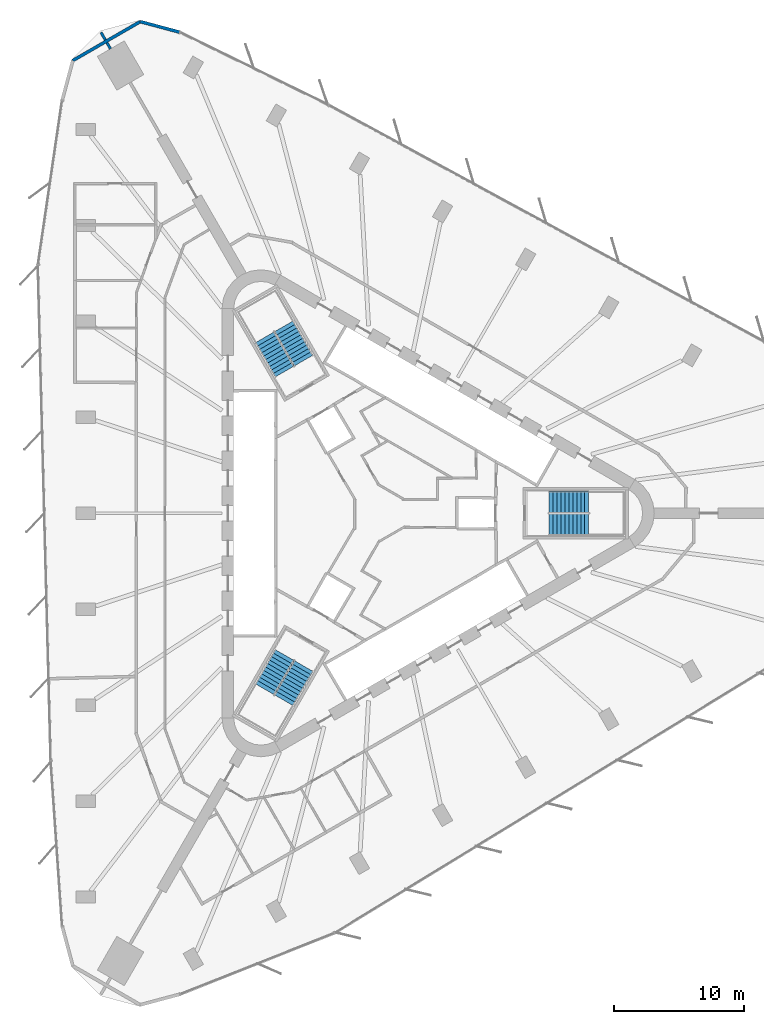
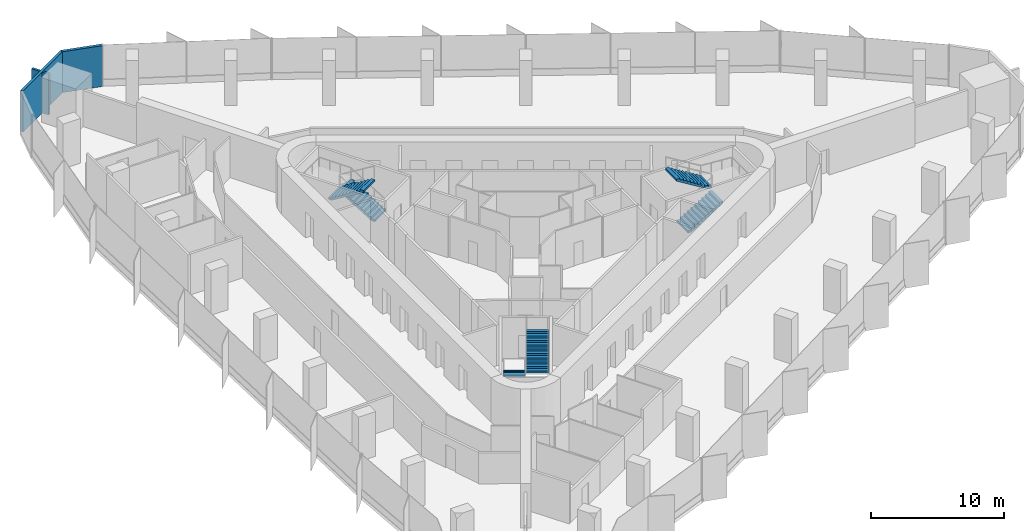
# One storey, part 13 of 14: 6 stair flights, 4 walls, 3 elements without a shape of their own.
"""IFC4 building model written with IfcOpenShell, lengths in metres."""

from ifc_helpers import new_model, si_unit, direction, frame, frame_2d, origin, place, context, subcontext, project, spatial, polyline, rectangle, outline, extrude, material, layer, layer_set, type_object, element, aggregate, save


model = new_model("IFC4")

# Units and contexts
model_context = context("Model", 3, precision=1e-05, world=origin(), true_north=direction((0.0, 1.0)))
body_context = subcontext(model_context, "Body", "Model", "MODEL_VIEW")
ifc_project = project(units=[si_unit("LENGTHUNIT", "METRE"), si_unit("AREAUNIT", "SQUARE_METRE"), si_unit("VOLUMEUNIT", "CUBIC_METRE"), si_unit("PLANEANGLEUNIT", "RADIAN"), si_unit("MASSUNIT", "GRAM", prefix="KILO")], contexts=[model_context])

# Site, building, storey
site_placement = place(None, origin())
site = spatial("IfcSite", under=ifc_project, at=site_placement, CompositionType="ELEMENT")
building_placement = place(site_placement, origin())
building = spatial("IfcBuilding", under=site, at=building_placement, Name="Tanit Gate Tower", CompositionType="ELEMENT")
storey_placement = place(building_placement, frame((0.0, 0.0, 152.10009765625)))
storey = spatial("IfcBuildingStorey", under=building, at=storey_placement, Name="L33", CompositionType="ELEMENT", Elevation=152.10009765625)

# Walls
ifc_material_1 = material(Name="Concrete C30/37 with bronze anodised aluminium cladding", Category="concrete")
ifc_layer_1 = layer(ifc_material_1, 0.239990234375)
ifc_layer_set_1 = layer_set([ifc_layer_1], Name="Facade wall bronze clad 240")
wall_type_1 = type_object("IfcWallType", Name="Facade wall bronze clad 240", PredefinedType="SOLIDWALL", material=ifc_layer_set_1)
wall_1_placement = place(storey_placement, frame((-15.37255859375, 37.065673828125, 0.0), z_axis=(0.0, 0.0, 1.0), x_axis=(-0.965928914048, 0.258807521156, 0.0)))
element("IfcWall", 1, at=wall_1_placement, inside=storey, type_object=wall_type_1, Name="Bronze-clad facade wall L33 NW.arc1", PredefinedType="SOLIDWALL", context=body_context, shape_type="SweptSolid", body=[
    extrude(rectangle(XDim=3.1318359375, YDim=0.239990234375, at=frame_2d((1.56591796875, 0.0))), origin(), (0.0, 0.0, 1.0), 3.75),
])
wall_2_placement = place(storey_placement, frame((-18.397705078125, 37.876220703125, 0.0), z_axis=(0.0, 0.0, 1.0), x_axis=(-0.866037453254, -0.499979129126, 0.0)))
element("IfcWall", 2, at=wall_2_placement, inside=storey, type_object=wall_type_1, Name="Bronze-clad facade wall L33 NW.arc2", PredefinedType="SOLIDWALL", context=body_context, shape_type="SweptSolid", body=[
    extrude(rectangle(XDim=6.010498046875, YDim=0.239990234375, at=frame_2d((3.00537109375, 0.0))), origin(), (0.0, 0.0, 1.0), 3.75),
])
ifc_material_2 = material(Name="Fire-rated gypsum board partition")
ifc_layer_2 = layer(ifc_material_2, 0.199951171875)
ifc_layer_set_2 = layer_set([ifc_layer_2], Name="INT-WALL-COMPARTMENT")
wall_type_2 = type_object("IfcWallType", Name="INT-WALL-COMPARTMENT", PredefinedType="PARTITIONING", material=ifc_layer_set_2)
wall_3_placement = place(storey_placement, frame((-21.4248046875, 37.049072265625, 0.0), z_axis=(0.0, 0.0, 1.0), x_axis=(0.499784885981, -0.866149564305, 0.0)))
element("IfcWall", 3, at=wall_3_placement, inside=storey, type_object=wall_type_2, Name="Wall Compartment W118", PredefinedType="PARTITIONING", context=body_context, shape_type="SweptSolid", body=[
    extrude(rectangle(XDim=0.677001953125, YDim=0.199951171875, at=frame_2d((0.33837890625, 0.0))), origin(), (0.0, 0.0, 1.0), 3.75),
])
wall_4_placement = place(storey_placement, frame((-20.96630859375, 36.254638671875, 0.0), z_axis=(0.0, 0.0, 1.0), x_axis=(0.500004084281, -0.866023045711, 0.0)))
element("IfcWall", 4, at=wall_4_placement, inside=storey, type_object=wall_type_2, Name="Wall Compartment W118x1", PredefinedType="PARTITIONING", context=body_context, shape_type="SweptSolid", body=[
    extrude(rectangle(XDim=0.55029296875, YDim=0.199951171875, at=frame_2d((0.275146484375, 0.0))), origin(), (0.0, 0.0, 1.0), 3.75),
])

# Stair, stair flights
ifc_material_3 = material(Name="Concrete C40/50", Category="concrete")
stair_type = type_object("IfcStairType", Name="INT-STAIR-EXIT", PredefinedType="HALF_TURN_STAIR", material=ifc_material_3)
stair_1_placement = place(storey_placement, origin())
stair_1 = element("IfcStair", 5, at=stair_1_placement, inside=storey, type_object=stair_type, Name="L33 STAIR S1", PredefinedType="HALF_TURN_STAIR")
ifc_material_4 = material(Name="Concrete C40/50", Category="concrete")
stair_flight_type = type_object("IfcStairFlightType", Name="INT-STAIR-FLIGHT", PredefinedType="STRAIGHT", material=ifc_material_4)
stair_flight_1_placement = place(storey_placement, frame((13.094970703125, -0.8525390625, 0.0), z_axis=(0.0, 0.0, 1.0), x_axis=(1.0, 0.0, 0.0)))
stair_flight_1 = element("IfcStairFlight", 6, at=stair_flight_1_placement, type_object=stair_flight_type, Name="S1 flight 1", NumberOfRisers=11, NumberOfTreads=10, PredefinedType="STRAIGHT", RiserHeight=0.186363636, TreadLength=0.3051, context=body_context, shape_type="SweptSolid", body=[
    extrude(outline(polyline([(0.0, 0.0), (0.0, 0.186279296875), (0.30517578125, 0.186279296875), (0.30517578125, 0.372802734375), (0.610107421875, 0.372802734375), (0.610107421875, 0.55908203125), (0.915283203125, 0.55908203125), (0.915283203125, 0.745361328125), (1.220458984375, 0.745361328125), (1.220458984375, 0.931884765625), (1.525390625, 0.931884765625), (1.525390625, 1.1181640625), (1.83056640625, 1.1181640625), (1.83056640625, 1.304443359375), (2.1357421875, 1.304443359375), (2.1357421875, 1.490966796875), (2.44091796875, 1.490966796875), (2.44091796875, 1.67724609375), (2.745849609375, 1.67724609375), (2.745849609375, 1.863525390625), (3.051025390625, 1.863525390625), (3.051025390625, 2.050048828125), (3.051025390625, 1.68798828125), (0.28759765625, 0.0), (0.0, 0.0)])), frame((0.0, 0.84765625, 0.0), z_axis=(0.0, -1.0, 0.0), x_axis=(1.0, 0.0, 0.0)), (0.0, 0.0, 1.0), 1.695068359375),
])
stair_flight_2_placement = place(storey_placement, frame((16.14599609375, 0.8525390625, 2.0498046875), z_axis=(0.0, 0.0, 1.0), x_axis=(-1.0, 0.0, 0.0)))
stair_flight_2 = element("IfcStairFlight", 7, at=stair_flight_2_placement, type_object=stair_flight_type, Name="S1 flight 2", NumberOfRisers=11, NumberOfTreads=10, PredefinedType="STRAIGHT", RiserHeight=0.186363636, TreadLength=0.3051, context=body_context, shape_type="SweptSolid", body=[
    extrude(outline(polyline([(0.0, 0.0), (0.0, 0.186279296875), (0.30517578125, 0.186279296875), (0.30517578125, 0.372802734375), (0.610107421875, 0.372802734375), (0.610107421875, 0.55908203125), (0.915283203125, 0.55908203125), (0.915283203125, 0.745361328125), (1.220458984375, 0.745361328125), (1.220458984375, 0.931884765625), (1.525390625, 0.931884765625), (1.525390625, 1.1181640625), (1.83056640625, 1.1181640625), (1.83056640625, 1.304443359375), (2.1357421875, 1.304443359375), (2.1357421875, 1.490966796875), (2.44091796875, 1.490966796875), (2.44091796875, 1.67724609375), (2.745849609375, 1.67724609375), (2.745849609375, 1.863525390625), (3.051025390625, 1.863525390625), (3.051025390625, 2.050048828125), (3.051025390625, 1.68798828125), (0.28759765625, 0.0), (0.0, 0.0)])), frame((0.0, 0.84765625, 0.0), z_axis=(0.0, -1.0, 0.0), x_axis=(1.0, 0.0, 0.0)), (0.0, 0.0, 1.0), 1.695068359375),
])
aggregate(stair_1, [stair_flight_1, stair_flight_2])

stair_2_placement = place(storey_placement, origin())
stair_2 = element("IfcStair", 8, at=stair_2_placement, inside=storey, type_object=stair_type, Name="L33 STAIR S2", PredefinedType="HALF_TURN_STAIR")
stair_flight_3_placement = place(storey_placement, frame((-5.808349609375, 11.766357421875, 0.0), z_axis=(0.0, 0.0, 1.0), x_axis=(-0.5, 0.866025403784, 0.0)))
stair_flight_3 = element("IfcStairFlight", 9, at=stair_flight_3_placement, type_object=stair_flight_type, Name="S2 flight 1", NumberOfRisers=11, NumberOfTreads=10, PredefinedType="STRAIGHT", RiserHeight=0.186363636, TreadLength=0.30492, context=body_context, shape_type="SweptSolid", body=[
    extrude(outline(polyline([(0.0, 0.0), (0.0, 0.186279296875), (0.304931640625, 0.186279296875), (0.304931640625, 0.372802734375), (0.60986328125, 0.372802734375), (0.60986328125, 0.55908203125), (0.914794921875, 0.55908203125), (0.914794921875, 0.745361328125), (1.2197265625, 0.745361328125), (1.2197265625, 0.931884765625), (1.524658203125, 0.931884765625), (1.524658203125, 1.1181640625), (1.82958984375, 1.1181640625), (1.82958984375, 1.304443359375), (2.134521484375, 1.304443359375), (2.134521484375, 1.490966796875), (2.439453125, 1.490966796875), (2.439453125, 1.67724609375), (2.744384765625, 1.67724609375), (2.744384765625, 1.863525390625), (3.04931640625, 1.863525390625), (3.04931640625, 2.050048828125), (3.04931640625, 1.68798828125), (0.287353515625, 0.0), (0.0, 0.0)])), frame((0.0, 0.84716796875, 0.0), z_axis=(0.0, -1.0, 0.0), x_axis=(1.0, 0.0, 0.0)), (0.0, 0.0, 1.0), 1.694091796875),
])
stair_flight_4_placement = place(storey_placement, frame((-8.810302734375, 13.553955078125, 2.0498046875), z_axis=(0.0, 0.0, 1.0), x_axis=(0.5, -0.866025403784, 0.0)))
stair_flight_4 = element("IfcStairFlight", 10, at=stair_flight_4_placement, type_object=stair_flight_type, Name="S2 flight 2", NumberOfRisers=11, NumberOfTreads=10, PredefinedType="STRAIGHT", RiserHeight=0.186363636, TreadLength=0.30492, context=body_context, shape_type="SweptSolid", body=[
    extrude(outline(polyline([(0.0, 0.0), (0.0, 0.186279296875), (0.304931640625, 0.186279296875), (0.304931640625, 0.372802734375), (0.60986328125, 0.372802734375), (0.60986328125, 0.55908203125), (0.914794921875, 0.55908203125), (0.914794921875, 0.745361328125), (1.2197265625, 0.745361328125), (1.2197265625, 0.931884765625), (1.524658203125, 0.931884765625), (1.524658203125, 1.1181640625), (1.82958984375, 1.1181640625), (1.82958984375, 1.304443359375), (2.134521484375, 1.304443359375), (2.134521484375, 1.490966796875), (2.439453125, 1.490966796875), (2.439453125, 1.67724609375), (2.744384765625, 1.67724609375), (2.744384765625, 1.863525390625), (3.04931640625, 1.863525390625), (3.04931640625, 2.050048828125), (3.04931640625, 1.68798828125), (0.287353515625, 0.0), (0.0, 0.0)])), frame((0.0, 0.84716796875, 0.0), z_axis=(0.0, -1.0, 0.0), x_axis=(1.0, 0.0, 0.0)), (0.0, 0.0, 1.0), 1.694091796875),
])
aggregate(stair_2, [stair_flight_3, stair_flight_4])

stair_3_placement = place(storey_placement, origin())
stair_3 = element("IfcStair", 11, at=stair_3_placement, inside=storey, type_object=stair_type, Name="L33 STAIR S3", PredefinedType="HALF_TURN_STAIR")
stair_flight_5_placement = place(storey_placement, frame((-7.285888671875, -10.914306640625, 0.0), z_axis=(0.0, 0.0, 1.0), x_axis=(-0.5, -0.866025403784, 0.0)))
stair_flight_5 = element("IfcStairFlight", 12, at=stair_flight_5_placement, type_object=stair_flight_type, Name="S3 flight 1", NumberOfRisers=11, NumberOfTreads=10, PredefinedType="STRAIGHT", RiserHeight=0.186363636, TreadLength=0.3051, context=body_context, shape_type="SweptSolid", body=[
    extrude(outline(polyline([(0.0, 0.0), (0.0, 0.186279296875), (0.30517578125, 0.186279296875), (0.30517578125, 0.372802734375), (0.610107421875, 0.372802734375), (0.610107421875, 0.55908203125), (0.915283203125, 0.55908203125), (0.915283203125, 0.745361328125), (1.220458984375, 0.745361328125), (1.220458984375, 0.931884765625), (1.525390625, 0.931884765625), (1.525390625, 1.1181640625), (1.83056640625, 1.1181640625), (1.83056640625, 1.304443359375), (2.1357421875, 1.304443359375), (2.1357421875, 1.490966796875), (2.44091796875, 1.490966796875), (2.44091796875, 1.67724609375), (2.745849609375, 1.67724609375), (2.745849609375, 1.863525390625), (3.051025390625, 1.863525390625), (3.051025390625, 2.050048828125), (3.051025390625, 1.68798828125), (0.28759765625, 0.0), (0.0, 0.0)])), frame((0.0, 0.84765625, 0.0), z_axis=(0.0, -1.0, 0.0), x_axis=(1.0, 0.0, 0.0)), (0.0, 0.0, 1.0), 1.695068359375),
])
stair_flight_6_placement = place(storey_placement, frame((-7.334716796875, -14.4091796875, 2.0498046875), z_axis=(0.0, 0.0, 1.0), x_axis=(0.5, 0.866025403784, 0.0)))
stair_flight_6 = element("IfcStairFlight", 13, at=stair_flight_6_placement, type_object=stair_flight_type, Name="S3 flight 2", NumberOfRisers=11, NumberOfTreads=10, PredefinedType="STRAIGHT", RiserHeight=0.186363636, TreadLength=0.3051, context=body_context, shape_type="SweptSolid", body=[
    extrude(outline(polyline([(0.0, 0.0), (0.0, 0.186279296875), (0.30517578125, 0.186279296875), (0.30517578125, 0.372802734375), (0.610107421875, 0.372802734375), (0.610107421875, 0.55908203125), (0.915283203125, 0.55908203125), (0.915283203125, 0.745361328125), (1.220458984375, 0.745361328125), (1.220458984375, 0.931884765625), (1.525390625, 0.931884765625), (1.525390625, 1.1181640625), (1.83056640625, 1.1181640625), (1.83056640625, 1.304443359375), (2.1357421875, 1.304443359375), (2.1357421875, 1.490966796875), (2.44091796875, 1.490966796875), (2.44091796875, 1.67724609375), (2.745849609375, 1.67724609375), (2.745849609375, 1.863525390625), (3.051025390625, 1.863525390625), (3.051025390625, 2.050048828125), (3.051025390625, 1.68798828125), (0.28759765625, 0.0), (0.0, 0.0)])), frame((0.0, 0.84765625, 0.0), z_axis=(0.0, -1.0, 0.0), x_axis=(1.0, 0.0, 0.0)), (0.0, 0.0, 1.0), 1.695068359375),
])
aggregate(stair_3, [stair_flight_5, stair_flight_6])

save(model, "model.ifc")
